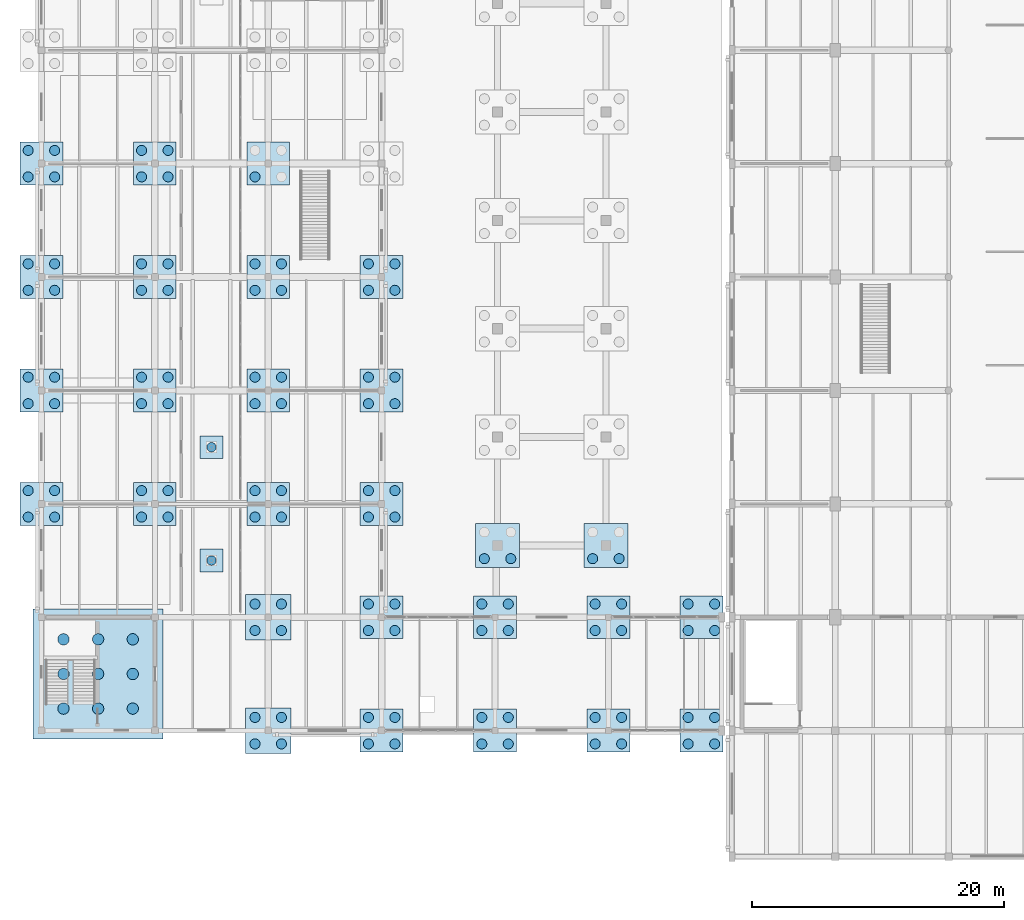
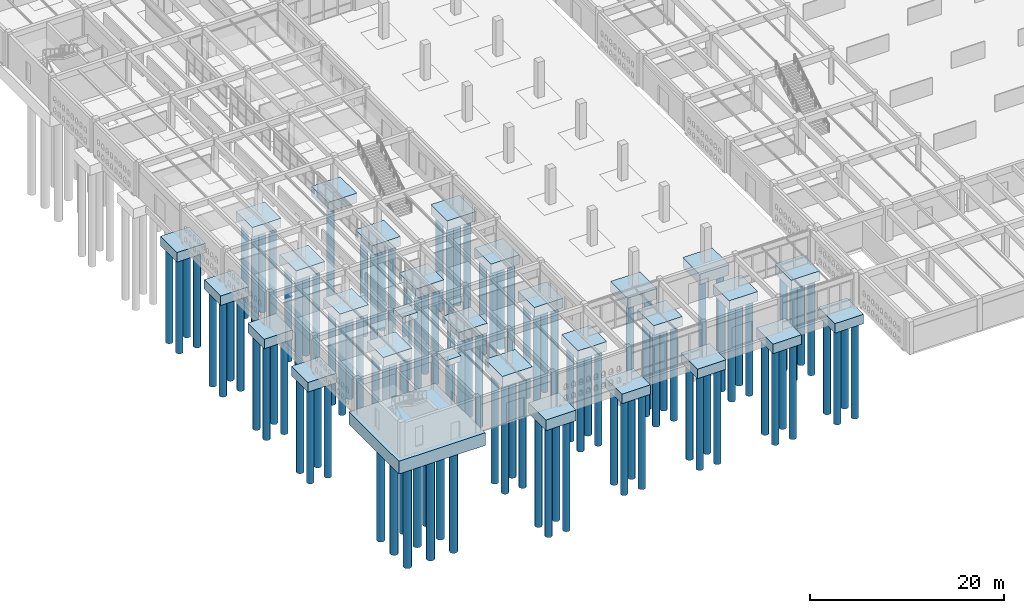
# One storey, part 1 of 186: 112 piles, 30 footings.
"""IFC4 building model written with IfcOpenShell, lengths in metres."""

from ifc_helpers import new_model, si_unit, direction, frame, origin, origin_2d, place, context, subcontext, project, spatial, polyline, circle, outline, extrude, material, layer, layer_set, material_profile, profile_set, type_object, element, save


model = new_model("IFC4")

# Units and contexts
model_context = context("Model", 3, precision=1e-05, world=origin(), true_north=direction((0.0, 1.0)))
body_context = subcontext(model_context, "Body", "Model", "MODEL_VIEW")
ifc_project = project(units=[si_unit("LENGTHUNIT", "METRE"), si_unit("AREAUNIT", "SQUARE_METRE"), si_unit("VOLUMEUNIT", "CUBIC_METRE"), si_unit("PLANEANGLEUNIT", "RADIAN"), si_unit("MASSUNIT", "GRAM", prefix="KILO")], contexts=[model_context])

# Site, building, storey
site_placement = place(None, origin())
site = spatial("IfcSite", under=ifc_project, at=site_placement, CompositionType="ELEMENT")
building_placement = place(site_placement, origin())
building = spatial("IfcBuilding", under=site, at=building_placement, Name="Ornek Quay Market", CompositionType="ELEMENT")
storey_placement = place(building_placement, origin())
storey = spatial("IfcBuildingStorey", under=building, at=storey_placement, Name="L00", CompositionType="ELEMENT", Elevation=0.0)

# Footings
ifc_material = material(Name="Concrete C35/45", Category="concrete")
ifc_layer_1 = layer(ifc_material, 1.60009765625, Name="Concrete C35/45", Category="concrete")
ifc_layer_set_1 = layer_set([ifc_layer_1], Name="Concrete C35/45")
footing_type_1 = type_object("IfcFootingType", Name="FT-CORE-7600x6600x1600", PredefinedType="PILE_CAP", material=ifc_layer_set_1)
footing_1_placement = place(storey_placement, frame((0.0, 0.0, -1.60009765625)))
element("IfcFooting", 1, at=footing_1_placement, inside=storey, type_object=footing_type_1, Name="Pile cap FC-002", PredefinedType="PILE_CAP", context=body_context, shape_type="SweptSolid", body=[
    extrude(outline(polyline([(-0.64990234375, 19.35009765625), (9.64990234375, 19.35009765625), (9.64990234375, 29.64990234375), (-0.64990234375, 29.64990234375), (-0.64990234375, 19.35009765625)])), origin(), (0.0, 0.0, 1.0), 1.60009765625),
])
ifc_layer_2 = layer(ifc_material, 0.75, Name="Concrete C35/45", Category="concrete")
ifc_layer_set_2 = layer_set([ifc_layer_2], Name="Concrete C35/45")
footing_type_2 = type_object("IfcFootingType", Name="FT-PAD-1800x1800x750", PredefinedType="PAD_FOOTING", material=ifc_layer_set_2)
footing_2_placement = place(storey_placement, frame((0.0, 0.0, -0.75)))
element("IfcFooting", 2, at=footing_2_placement, inside=storey, type_object=footing_type_2, Name="Pad footing PF-05", PredefinedType="PAD_FOOTING", context=body_context, shape_type="SweptSolid", body=[
    extrude(outline(polyline([(12.60009765625, 41.60009765625), (14.39990234375, 41.60009765625), (14.39990234375, 43.39990234375), (12.60009765625, 43.39990234375), (12.60009765625, 41.60009765625)])), origin(), (0.0, 0.0, 1.0), 0.75),
])
footing_3_placement = place(storey_placement, frame((0.0, 0.0, -0.75)))
element("IfcFooting", 3, at=footing_3_placement, inside=storey, type_object=footing_type_2, Name="Pad footing PF-07", PredefinedType="PAD_FOOTING", context=body_context, shape_type="SweptSolid", body=[
    extrude(outline(polyline([(12.60009765625, 32.60009765625), (14.39990234375, 32.60009765625), (14.39990234375, 34.39990234375), (12.60009765625, 34.39990234375), (12.60009765625, 32.60009765625)])), origin(), (0.0, 0.0, 1.0), 0.75),
])
ifc_layer_3 = layer(ifc_material, 1.199951171875, Name="Concrete C35/45", Category="concrete")
ifc_layer_set_3 = layer_set([ifc_layer_3], Name="Concrete C35/45")
footing_type_3 = type_object("IfcFootingType", Name="FT-PC4-2800x2800x1200", PredefinedType="PILE_CAP", material=ifc_layer_set_3)
footing_4_placement = place(storey_placement, frame((0.0, 0.0, -1.199951171875)))
element("IfcFooting", 4, at=footing_4_placement, inside=storey, type_object=footing_type_3, Name="Pile cap FC-007", PredefinedType="PILE_CAP", context=body_context, shape_type="SweptSolid", body=[
    extrude(outline(polyline([(-1.699951171875, 36.300048828125), (1.699951171875, 36.300048828125), (1.699951171875, 39.699951171875), (-1.699951171875, 39.699951171875), (-1.699951171875, 36.300048828125)])), origin(), (0.0, 0.0, 1.0), 1.199951171875),
])
footing_5_placement = place(storey_placement, frame((0.0, 0.0, -1.199951171875)))
element("IfcFooting", 5, at=footing_5_placement, inside=storey, type_object=footing_type_3, Name="Pile cap FC-008", PredefinedType="PILE_CAP", context=body_context, shape_type="SweptSolid", body=[
    extrude(outline(polyline([(-1.699951171875, 45.300048828125), (1.699951171875, 45.300048828125), (1.699951171875, 48.699951171875), (-1.699951171875, 48.699951171875), (-1.699951171875, 45.300048828125)])), origin(), (0.0, 0.0, 1.0), 1.199951171875),
])
footing_6_placement = place(storey_placement, frame((0.0, 0.0, -1.199951171875)))
element("IfcFooting", 6, at=footing_6_placement, inside=storey, type_object=footing_type_3, Name="Pile cap FC-009", PredefinedType="PILE_CAP", context=body_context, shape_type="SweptSolid", body=[
    extrude(outline(polyline([(-1.699951171875, 54.300048828125), (1.699951171875, 54.300048828125), (1.699951171875, 57.699951171875), (-1.699951171875, 57.699951171875), (-1.699951171875, 54.300048828125)])), origin(), (0.0, 0.0, 1.0), 1.199951171875),
])
footing_7_placement = place(storey_placement, frame((0.0, 0.0, -1.199951171875)))
element("IfcFooting", 7, at=footing_7_placement, inside=storey, type_object=footing_type_3, Name="Pile cap FC-010", PredefinedType="PILE_CAP", context=body_context, shape_type="SweptSolid", body=[
    extrude(outline(polyline([(-1.699951171875, 63.300048828125), (1.699951171875, 63.300048828125), (1.699951171875, 66.699951171875), (-1.699951171875, 66.699951171875), (-1.699951171875, 63.300048828125)])), origin(), (0.0, 0.0, 1.0), 1.199951171875),
])
footing_8_placement = place(storey_placement, frame((0.0, 0.0, -1.199951171875)))
element("IfcFooting", 8, at=footing_8_placement, inside=storey, type_object=footing_type_3, Name="Pile cap FC-015", PredefinedType="PILE_CAP", context=body_context, shape_type="SweptSolid", body=[
    extrude(outline(polyline([(7.300048828125, 36.300048828125), (10.699951171875, 36.300048828125), (10.699951171875, 39.699951171875), (7.300048828125, 39.699951171875), (7.300048828125, 36.300048828125)])), origin(), (0.0, 0.0, 1.0), 1.199951171875),
])
footing_9_placement = place(storey_placement, frame((0.0, 0.0, -1.199951171875)))
element("IfcFooting", 9, at=footing_9_placement, inside=storey, type_object=footing_type_3, Name="Pile cap FC-016", PredefinedType="PILE_CAP", context=body_context, shape_type="SweptSolid", body=[
    extrude(outline(polyline([(7.300048828125, 45.300048828125), (10.699951171875, 45.300048828125), (10.699951171875, 48.699951171875), (7.300048828125, 48.699951171875), (7.300048828125, 45.300048828125)])), origin(), (0.0, 0.0, 1.0), 1.199951171875),
])
footing_10_placement = place(storey_placement, frame((0.0, 0.0, -1.199951171875)))
element("IfcFooting", 10, at=footing_10_placement, inside=storey, type_object=footing_type_3, Name="Pile cap FC-017", PredefinedType="PILE_CAP", context=body_context, shape_type="SweptSolid", body=[
    extrude(outline(polyline([(7.300048828125, 54.300048828125), (10.699951171875, 54.300048828125), (10.699951171875, 57.699951171875), (7.300048828125, 57.699951171875), (7.300048828125, 54.300048828125)])), origin(), (0.0, 0.0, 1.0), 1.199951171875),
])
footing_11_placement = place(storey_placement, frame((0.0, 0.0, -1.199951171875)))
element("IfcFooting", 11, at=footing_11_placement, inside=storey, type_object=footing_type_3, Name="Pile cap FC-018", PredefinedType="PILE_CAP", context=body_context, shape_type="SweptSolid", body=[
    extrude(outline(polyline([(7.300048828125, 63.300048828125), (10.699951171875, 63.300048828125), (10.699951171875, 66.699951171875), (7.300048828125, 66.699951171875), (7.300048828125, 63.300048828125)])), origin(), (0.0, 0.0, 1.0), 1.199951171875),
])
footing_12_placement = place(storey_placement, frame((0.0, 0.0, -1.199951171875)))
element("IfcFooting", 12, at=footing_12_placement, inside=storey, type_object=footing_type_3, Name="Pile cap FC-025", PredefinedType="PILE_CAP", context=body_context, shape_type="SweptSolid", body=[
    extrude(outline(polyline([(16.300048828125, 36.300048828125), (19.699951171875, 36.300048828125), (19.699951171875, 39.699951171875), (16.300048828125, 39.699951171875), (16.300048828125, 36.300048828125)])), origin(), (0.0, 0.0, 1.0), 1.199951171875),
])
footing_13_placement = place(storey_placement, frame((0.0, 0.0, -1.199951171875)))
element("IfcFooting", 13, at=footing_13_placement, inside=storey, type_object=footing_type_3, Name="Pile cap FC-026", PredefinedType="PILE_CAP", context=body_context, shape_type="SweptSolid", body=[
    extrude(outline(polyline([(16.300048828125, 45.300048828125), (19.699951171875, 45.300048828125), (19.699951171875, 48.699951171875), (16.300048828125, 48.699951171875), (16.300048828125, 45.300048828125)])), origin(), (0.0, 0.0, 1.0), 1.199951171875),
])
footing_14_placement = place(storey_placement, frame((0.0, 0.0, -1.199951171875)))
element("IfcFooting", 14, at=footing_14_placement, inside=storey, type_object=footing_type_3, Name="Pile cap FC-027", PredefinedType="PILE_CAP", context=body_context, shape_type="SweptSolid", body=[
    extrude(outline(polyline([(16.300048828125, 54.300048828125), (19.699951171875, 54.300048828125), (19.699951171875, 57.699951171875), (16.300048828125, 57.699951171875), (16.300048828125, 54.300048828125)])), origin(), (0.0, 0.0, 1.0), 1.199951171875),
])
footing_15_placement = place(storey_placement, frame((0.0, 0.0, -1.199951171875)))
element("IfcFooting", 15, at=footing_15_placement, inside=storey, type_object=footing_type_3, Name="Pile cap FC-028", PredefinedType="PILE_CAP", context=body_context, shape_type="SweptSolid", body=[
    extrude(outline(polyline([(16.300048828125, 63.300048828125), (19.699951171875, 63.300048828125), (19.699951171875, 66.699951171875), (16.300048828125, 66.699951171875), (16.300048828125, 63.300048828125)])), origin(), (0.0, 0.0, 1.0), 1.199951171875),
])
footing_16_placement = place(storey_placement, frame((0.0, 0.0, -1.199951171875)))
element("IfcFooting", 16, at=footing_16_placement, inside=storey, type_object=footing_type_3, Name="Pile cap FC-035", PredefinedType="PILE_CAP", context=body_context, shape_type="SweptSolid", body=[
    extrude(outline(polyline([(25.300048828125, 18.300048828125), (28.699951171875, 18.300048828125), (28.699951171875, 21.699951171875), (25.300048828125, 21.699951171875), (25.300048828125, 18.300048828125)])), origin(), (0.0, 0.0, 1.0), 1.199951171875),
])
footing_17_placement = place(storey_placement, frame((0.0, 0.0, -1.199951171875)))
element("IfcFooting", 17, at=footing_17_placement, inside=storey, type_object=footing_type_3, Name="Pile cap FC-036", PredefinedType="PILE_CAP", context=body_context, shape_type="SweptSolid", body=[
    extrude(outline(polyline([(25.300048828125, 27.300048828125), (28.699951171875, 27.300048828125), (28.699951171875, 30.699951171875), (25.300048828125, 30.699951171875), (25.300048828125, 27.300048828125)])), origin(), (0.0, 0.0, 1.0), 1.199951171875),
])
footing_18_placement = place(storey_placement, frame((0.0, 0.0, -1.199951171875)))
element("IfcFooting", 18, at=footing_18_placement, inside=storey, type_object=footing_type_3, Name="Pile cap FC-037", PredefinedType="PILE_CAP", context=body_context, shape_type="SweptSolid", body=[
    extrude(outline(polyline([(25.300048828125, 36.300048828125), (28.699951171875, 36.300048828125), (28.699951171875, 39.699951171875), (25.300048828125, 39.699951171875), (25.300048828125, 36.300048828125)])), origin(), (0.0, 0.0, 1.0), 1.199951171875),
])
footing_19_placement = place(storey_placement, frame((0.0, 0.0, -1.199951171875)))
element("IfcFooting", 19, at=footing_19_placement, inside=storey, type_object=footing_type_3, Name="Pile cap FC-038", PredefinedType="PILE_CAP", context=body_context, shape_type="SweptSolid", body=[
    extrude(outline(polyline([(25.300048828125, 45.300048828125), (28.699951171875, 45.300048828125), (28.699951171875, 48.699951171875), (25.300048828125, 48.699951171875), (25.300048828125, 45.300048828125)])), origin(), (0.0, 0.0, 1.0), 1.199951171875),
])
footing_20_placement = place(storey_placement, frame((0.0, 0.0, -1.199951171875)))
element("IfcFooting", 20, at=footing_20_placement, inside=storey, type_object=footing_type_3, Name="Pile cap FC-039", PredefinedType="PILE_CAP", context=body_context, shape_type="SweptSolid", body=[
    extrude(outline(polyline([(25.300048828125, 54.300048828125), (28.699951171875, 54.300048828125), (28.699951171875, 57.699951171875), (25.300048828125, 57.699951171875), (25.300048828125, 54.300048828125)])), origin(), (0.0, 0.0, 1.0), 1.199951171875),
])
footing_21_placement = place(storey_placement, frame((0.0, 0.0, -1.199951171875)))
element("IfcFooting", 21, at=footing_21_placement, inside=storey, type_object=footing_type_3, Name="Pile cap FC-047", PredefinedType="PILE_CAP", context=body_context, shape_type="SweptSolid", body=[
    extrude(outline(polyline([(34.300048828125, 18.300048828125), (37.699951171875, 18.300048828125), (37.699951171875, 21.699951171875), (34.300048828125, 21.699951171875), (34.300048828125, 18.300048828125)])), origin(), (0.0, 0.0, 1.0), 1.199951171875),
])
footing_22_placement = place(storey_placement, frame((0.0, 0.0, -1.199951171875)))
element("IfcFooting", 22, at=footing_22_placement, inside=storey, type_object=footing_type_3, Name="Pile cap FC-048", PredefinedType="PILE_CAP", context=body_context, shape_type="SweptSolid", body=[
    extrude(outline(polyline([(34.300048828125, 27.300048828125), (37.699951171875, 27.300048828125), (37.699951171875, 30.699951171875), (34.300048828125, 30.699951171875), (34.300048828125, 27.300048828125)])), origin(), (0.0, 0.0, 1.0), 1.199951171875),
])
footing_23_placement = place(storey_placement, frame((0.0, 0.0, -1.199951171875)))
element("IfcFooting", 23, at=footing_23_placement, inside=storey, type_object=footing_type_3, Name="Pile cap FC-053", PredefinedType="PILE_CAP", context=body_context, shape_type="SweptSolid", body=[
    extrude(outline(polyline([(43.300048828125, 18.300048828125), (46.699951171875, 18.300048828125), (46.699951171875, 21.699951171875), (43.300048828125, 21.699951171875), (43.300048828125, 18.300048828125)])), origin(), (0.0, 0.0, 1.0), 1.199951171875),
])
footing_24_placement = place(storey_placement, frame((0.0, 0.0, -1.199951171875)))
element("IfcFooting", 24, at=footing_24_placement, inside=storey, type_object=footing_type_3, Name="Pile cap FC-054", PredefinedType="PILE_CAP", context=body_context, shape_type="SweptSolid", body=[
    extrude(outline(polyline([(43.300048828125, 27.300048828125), (46.699951171875, 27.300048828125), (46.699951171875, 30.699951171875), (43.300048828125, 30.699951171875), (43.300048828125, 27.300048828125)])), origin(), (0.0, 0.0, 1.0), 1.199951171875),
])
footing_25_placement = place(storey_placement, frame((0.0, 0.0, -1.199951171875)))
element("IfcFooting", 25, at=footing_25_placement, inside=storey, type_object=footing_type_3, Name="Pile cap FC-059", PredefinedType="PILE_CAP", context=body_context, shape_type="SweptSolid", body=[
    extrude(outline(polyline([(50.679931640625, 18.300048828125), (54.080078125, 18.300048828125), (54.080078125, 21.699951171875), (50.679931640625, 21.699951171875), (50.679931640625, 18.300048828125)])), origin(), (0.0, 0.0, 1.0), 1.199951171875),
])
footing_26_placement = place(storey_placement, frame((0.0, 0.0, -1.199951171875)))
element("IfcFooting", 26, at=footing_26_placement, inside=storey, type_object=footing_type_3, Name="Pile cap FC-060", PredefinedType="PILE_CAP", context=body_context, shape_type="SweptSolid", body=[
    extrude(outline(polyline([(50.679931640625, 27.300048828125), (54.080078125, 27.300048828125), (54.080078125, 30.699951171875), (50.679931640625, 30.699951171875), (50.679931640625, 27.300048828125)])), origin(), (0.0, 0.0, 1.0), 1.199951171875),
])
ifc_layer_4 = layer(ifc_material, 1.300048828125, Name="Concrete C35/45", Category="concrete")
ifc_layer_set_4 = layer_set([ifc_layer_4], Name="Concrete C35/45")
footing_type_4 = type_object("IfcFootingType", Name="FT-PC4-3000x3000x1300", PredefinedType="PILE_CAP", material=ifc_layer_set_4)
footing_27_placement = place(storey_placement, frame((0.0, 0.0, -1.300048828125)))
element("IfcFooting", 27, at=footing_27_placement, inside=storey, type_object=footing_type_4, Name="Pile cap FC-236", PredefinedType="PILE_CAP", context=body_context, shape_type="SweptSolid", body=[
    extrude(outline(polyline([(34.449951171875, 32.949951171875), (37.949951171875, 32.949951171875), (37.949951171875, 36.449951171875), (34.449951171875, 36.449951171875), (34.449951171875, 32.949951171875)])), origin(), (0.0, 0.0, 1.0), 1.300048828125),
])
footing_28_placement = place(storey_placement, frame((0.0, 0.0, -1.300048828125)))
element("IfcFooting", 28, at=footing_28_placement, inside=storey, type_object=footing_type_4, Name="Pile cap FC-243", PredefinedType="PILE_CAP", context=body_context, shape_type="SweptSolid", body=[
    extrude(outline(polyline([(43.050048828125, 32.949951171875), (46.550048828125, 32.949951171875), (46.550048828125, 36.449951171875), (43.050048828125, 36.449951171875), (43.050048828125, 32.949951171875)])), origin(), (0.0, 0.0, 1.0), 1.300048828125),
])
ifc_layer_5 = layer(ifc_material, 1.35009765625, Name="Concrete C35/45", Category="concrete")
ifc_layer_set_5 = layer_set([ifc_layer_5], Name="Concrete C35/45")
footing_type_5 = type_object("IfcFootingType", Name="FT-PC4-3200x3200x1350", PredefinedType="PILE_CAP", material=ifc_layer_set_5)
footing_29_placement = place(storey_placement, frame((0.0, 0.0, -1.35009765625)))
element("IfcFooting", 29, at=footing_29_placement, inside=storey, type_object=footing_type_5, Name="Pile cap FC-023", PredefinedType="PILE_CAP", context=body_context, shape_type="SweptSolid", body=[
    extrude(outline(polyline([(16.199951171875, 18.199951171875), (19.800048828125, 18.199951171875), (19.800048828125, 21.800048828125), (16.199951171875, 21.800048828125), (16.199951171875, 18.199951171875)])), origin(), (0.0, 0.0, 1.0), 1.35009765625),
])
footing_30_placement = place(storey_placement, frame((0.0, 0.0, -1.35009765625)))
element("IfcFooting", 30, at=footing_30_placement, inside=storey, type_object=footing_type_5, Name="Pile cap FC-024", PredefinedType="PILE_CAP", context=body_context, shape_type="SweptSolid", body=[
    extrude(outline(polyline([(16.199951171875, 27.199951171875), (19.800048828125, 27.199951171875), (19.800048828125, 30.800048828125), (16.199951171875, 30.800048828125), (16.199951171875, 27.199951171875)])), origin(), (0.0, 0.0, 1.0), 1.35009765625),
])

# Piles
ifc_material_profile_1 = material_profile(ifc_material, circle(Radius=0.39990234375, at=origin_2d()), Name="PILE D800", Category="concrete")
ifc_profile_set_1 = profile_set([ifc_material_profile_1], Name="Concrete C35/45")
pile_type_1 = type_object("IfcPileType", Name="PL-BOR-D800-L12", PredefinedType="BORED", material=ifc_profile_set_1)
for number, where, z_axis, x_axis, name in (
    (31, (-1.050048828125, 36.949951171875, -1.10009765625), (0.0, 0.0, -1.0), (1.0, 0.0, 0.0), "Bored pile P-0055"),
    (32, (1.050048828125, 36.949951171875, -1.10009765625), (0.0, 0.0, -1.0), (1.0, 0.0, 0.0), "Bored pile P-0056"),
    (33, (-1.050048828125, 39.050048828125, -1.10009765625), (0.0, 0.0, -1.0), (1.0, 0.0, 0.0), "Bored pile P-0057"),
    (34, (1.050048828125, 39.050048828125, -1.10009765625), (0.0, 0.0, -1.0), (1.0, 0.0, 0.0), "Bored pile P-0058"),
    (35, (-1.050048828125, 45.949951171875, -1.10009765625), (0.0, 0.0, -1.0), (1.0, 0.0, 0.0), "Bored pile P-0059"),
    (36, (1.050048828125, 45.949951171875, -1.10009765625), (0.0, 0.0, -1.0), (1.0, 0.0, 0.0), "Bored pile P-0060"),
    (37, (-1.050048828125, 48.050048828125, -1.10009765625), (0.0, 0.0, -1.0), (1.0, 0.0, 0.0), "Bored pile P-0061"),
    (38, (1.050048828125, 48.050048828125, -1.10009765625), (0.0, 0.0, -1.0), (1.0, 0.0, 0.0), "Bored pile P-0062"),
    (39, (-1.050048828125, 54.949951171875, -1.10009765625), (0.0, 0.0, -1.0), (1.0, 0.0, 0.0), "Bored pile P-0063"),
    (40, (1.050048828125, 54.949951171875, -1.10009765625), (0.0, 0.0, -1.0), (1.0, 0.0, 0.0), "Bored pile P-0064"),
    (41, (-1.050048828125, 57.050048828125, -1.10009765625), (0.0, 0.0, -1.0), (1.0, 0.0, 0.0), "Bored pile P-0065"),
    (42, (1.050048828125, 57.050048828125, -1.10009765625), (0.0, 0.0, -1.0), (1.0, 0.0, 0.0), "Bored pile P-0066"),
    (43, (-1.050048828125, 63.949951171875, -1.10009765625), (0.0, 0.0, -1.0), (1.0, 0.0, 0.0), "Bored pile P-0067"),
    (44, (1.050048828125, 63.949951171875, -1.10009765625), (0.0, 0.0, -1.0), (1.0, 0.0, 0.0), "Bored pile P-0068"),
    (45, (-1.050048828125, 66.050048828125, -1.10009765625), (0.0, 0.0, -1.0), (1.0, 0.0, 0.0), "Bored pile P-0069"),
    (46, (1.050048828125, 66.050048828125, -1.10009765625), (0.0, 0.0, -1.0), (1.0, 0.0, 0.0), "Bored pile P-0070"),
    (47, (7.949951171875, 36.949951171875, -1.10009765625), (0.0, 0.0, -1.0), (1.0, 0.0, 0.0), "Bored pile P-0087"),
    (48, (10.050048828125, 36.949951171875, -1.10009765625), (0.0, 0.0, -1.0), (1.0, 0.0, 0.0), "Bored pile P-0088"),
    (49, (7.949951171875, 39.050048828125, -1.10009765625), (0.0, 0.0, -1.0), (1.0, 0.0, 0.0), "Bored pile P-0089"),
    (50, (10.050048828125, 39.050048828125, -1.10009765625), (0.0, 0.0, -1.0), (1.0, 0.0, 0.0), "Bored pile P-0090"),
    (51, (7.949951171875, 45.949951171875, -1.10009765625), (0.0, 0.0, -1.0), (1.0, 0.0, 0.0), "Bored pile P-0091"),
    (52, (10.050048828125, 45.949951171875, -1.10009765625), (0.0, 0.0, -1.0), (1.0, 0.0, 0.0), "Bored pile P-0092"),
    (53, (7.949951171875, 48.050048828125, -1.10009765625), (0.0, 0.0, -1.0), (1.0, 0.0, 0.0), "Bored pile P-0093"),
    (54, (10.050048828125, 48.050048828125, -1.10009765625), (0.0, 0.0, -1.0), (1.0, 0.0, 0.0), "Bored pile P-0094"),
    (55, (7.949951171875, 54.949951171875, -1.10009765625), (0.0, 0.0, -1.0), (1.0, 0.0, 0.0), "Bored pile P-0095"),
    (56, (10.050048828125, 54.949951171875, -1.10009765625), (0.0, 0.0, -1.0), (1.0, 0.0, 0.0), "Bored pile P-0096"),
    (57, (7.949951171875, 57.050048828125, -1.10009765625), (0.0, 0.0, -1.0), (1.0, 0.0, 0.0), "Bored pile P-0097"),
    (58, (10.050048828125, 57.050048828125, -1.10009765625), (0.0, 0.0, -1.0), (1.0, 0.0, 0.0), "Bored pile P-0098"),
    (59, (7.949951171875, 63.949951171875, -1.10009765625), (0.0, 0.0, -1.0), (1.0, 0.0, 0.0), "Bored pile P-0099"),
    (60, (10.050048828125, 63.949951171875, -1.10009765625), (0.0, 0.0, -1.0), (1.0, 0.0, 0.0), "Bored pile P-0100"),
    (61, (7.949951171875, 66.050048828125, -1.10009765625), (0.0, 0.0, -1.0), (1.0, 0.0, 0.0), "Bored pile P-0101"),
    (62, (10.050048828125, 66.050048828125, -1.10009765625), (0.0, 0.0, -1.0), (1.0, 0.0, 0.0), "Bored pile P-0102"),
    (63, (16.949951171875, 36.949951171875, -1.10009765625), (0.0, 0.0, -1.0), (1.0, 0.0, 0.0), "Bored pile P-0127"),
    (64, (19.050048828125, 36.949951171875, -1.10009765625), (0.0, 0.0, -1.0), (1.0, 0.0, 0.0), "Bored pile P-0128"),
    (65, (16.949951171875, 39.050048828125, -1.10009765625), (0.0, 0.0, -1.0), (1.0, 0.0, 0.0), "Bored pile P-0129"),
    (66, (19.050048828125, 39.050048828125, -1.10009765625), (0.0, 0.0, -1.0), (1.0, 0.0, 0.0), "Bored pile P-0130"),
    (67, (16.949951171875, 45.949951171875, -1.10009765625), (0.0, 0.0, -1.0), (1.0, 0.0, 0.0), "Bored pile P-0131"),
    (68, (19.050048828125, 45.949951171875, -1.10009765625), (0.0, 0.0, -1.0), (1.0, 0.0, 0.0), "Bored pile P-0132"),
    (69, (16.949951171875, 48.050048828125, -1.10009765625), (0.0, 0.0, -1.0), (1.0, 0.0, 0.0), "Bored pile P-0133"),
    (70, (19.050048828125, 48.050048828125, -1.10009765625), (0.0, 0.0, -1.0), (1.0, 0.0, 0.0), "Bored pile P-0134"),
    (71, (16.949951171875, 54.949951171875, -1.10009765625), (0.0, 0.0, -1.0), (1.0, 0.0, 0.0), "Bored pile P-0135"),
    (72, (19.050048828125, 54.949951171875, -1.10009765625), (0.0, 0.0, -1.0), (1.0, 0.0, 0.0), "Bored pile P-0136"),
    (73, (16.949951171875, 57.050048828125, -1.10009765625), (0.0, 0.0, -1.0), (1.0, 0.0, 0.0), "Bored pile P-0137"),
    (74, (19.050048828125, 57.050048828125, -1.10009765625), (0.0, 0.0, -1.0), (1.0, 0.0, 0.0), "Bored pile P-0138"),
    (75, (16.949951171875, 63.949951171875, -1.10009765625), (0.0, 0.0, -1.0), (1.0, 0.0, 0.0), "Bored pile P-0139"),
    (76, (25.949951171875, 18.949951171875, -1.10009765625), (0.0, 0.0, -1.0), (1.0, 0.0, 0.0), "Bored pile P-0167"),
    (77, (28.050048828125, 18.949951171875, -1.10009765625), (0.0, 0.0, -1.0), (1.0, 0.0, 0.0), "Bored pile P-0168"),
    (78, (25.949951171875, 21.050048828125, -1.10009765625), (0.0, 0.0, -1.0), (1.0, 0.0, 0.0), "Bored pile P-0169"),
    (79, (28.050048828125, 21.050048828125, -1.10009765625), (0.0, 0.0, -1.0), (1.0, 0.0, 0.0), "Bored pile P-0170"),
    (80, (25.949951171875, 27.949951171875, -1.10009765625), (0.0, 0.0, -1.0), (1.0, 0.0, 0.0), "Bored pile P-0171"),
    (81, (28.050048828125, 27.949951171875, -1.10009765625), (0.0, 0.0, -1.0), (1.0, 0.0, 0.0), "Bored pile P-0172"),
    (82, (25.949951171875, 30.050048828125, -1.10009765625), (0.0, 0.0, -1.0), (1.0, 0.0, 0.0), "Bored pile P-0173"),
    (83, (28.050048828125, 30.050048828125, -1.10009765625), (0.0, 0.0, -1.0), (1.0, 0.0, 0.0), "Bored pile P-0174"),
    (84, (25.949951171875, 36.949951171875, -1.10009765625), (0.0, 0.0, -1.0), (1.0, 0.0, 0.0), "Bored pile P-0175"),
    (85, (28.050048828125, 36.949951171875, -1.10009765625), (0.0, 0.0, -1.0), (1.0, 0.0, 0.0), "Bored pile P-0176"),
    (86, (25.949951171875, 39.050048828125, -1.10009765625), (0.0, 0.0, -1.0), (1.0, 0.0, 0.0), "Bored pile P-0177"),
    (87, (28.050048828125, 39.050048828125, -1.10009765625), (0.0, 0.0, -1.0), (1.0, 0.0, 0.0), "Bored pile P-0178"),
    (88, (25.949951171875, 45.949951171875, -1.10009765625), (0.0, 0.0, -1.0), (1.0, 0.0, 0.0), "Bored pile P-0179"),
    (89, (28.050048828125, 45.949951171875, -1.10009765625), (0.0, 0.0, -1.0), (1.0, 0.0, 0.0), "Bored pile P-0180"),
    (90, (25.949951171875, 48.050048828125, -1.10009765625), (0.0, 0.0, -1.0), (1.0, 0.0, 0.0), "Bored pile P-0181"),
    (91, (28.050048828125, 48.050048828125, -1.10009765625), (0.0, 0.0, -1.0), (1.0, 0.0, 0.0), "Bored pile P-0182"),
    (92, (25.949951171875, 54.949951171875, -1.10009765625), (0.0, 0.0, -1.0), (1.0, 0.0, 0.0), "Bored pile P-0183"),
    (93, (28.050048828125, 54.949951171875, -1.10009765625), (0.0, 0.0, -1.0), (1.0, 0.0, 0.0), "Bored pile P-0184"),
    (94, (25.949951171875, 57.050048828125, -1.10009765625), (0.0, 0.0, -1.0), (1.0, 0.0, 0.0), "Bored pile P-0185"),
    (95, (28.050048828125, 57.050048828125, -1.10009765625), (0.0, 0.0, -1.0), (1.0, 0.0, 0.0), "Bored pile P-0186"),
    (96, (34.949951171875, 18.949951171875, -1.10009765625), (0.0, 0.0, -1.0), (1.0, 0.0, 0.0), "Bored pile P-0215"),
    (97, (37.050048828125, 18.949951171875, -1.10009765625), (0.0, 0.0, -1.0), (1.0, 0.0, 0.0), "Bored pile P-0216"),
    (98, (34.949951171875, 21.050048828125, -1.10009765625), (0.0, 0.0, -1.0), (1.0, 0.0, 0.0), "Bored pile P-0217"),
    (99, (37.050048828125, 21.050048828125, -1.10009765625), (0.0, 0.0, -1.0), (1.0, 0.0, 0.0), "Bored pile P-0218"),
    (100, (34.949951171875, 27.949951171875, -1.10009765625), (0.0, 0.0, -1.0), (1.0, 0.0, 0.0), "Bored pile P-0219"),
    (101, (37.050048828125, 27.949951171875, -1.10009765625), (0.0, 0.0, -1.0), (1.0, 0.0, 0.0), "Bored pile P-0220"),
    (102, (34.949951171875, 30.050048828125, -1.10009765625), (0.0, 0.0, -1.0), (1.0, 0.0, 0.0), "Bored pile P-0221"),
    (103, (37.050048828125, 30.050048828125, -1.10009765625), (0.0, 0.0, -1.0), (1.0, 0.0, 0.0), "Bored pile P-0222"),
    (104, (43.949951171875, 18.949951171875, -1.10009765625), (0.0, 0.0, -1.0), (1.0, 0.0, 0.0), "Bored pile P-0239"),
    (105, (46.050048828125, 18.949951171875, -1.10009765625), (0.0, 0.0, -1.0), (1.0, 0.0, 0.0), "Bored pile P-0240"),
    (106, (43.949951171875, 21.050048828125, -1.10009765625), (0.0, 0.0, -1.0), (1.0, 0.0, 0.0), "Bored pile P-0241"),
    (107, (46.050048828125, 21.050048828125, -1.10009765625), (0.0, 0.0, -1.0), (1.0, 0.0, 0.0), "Bored pile P-0242"),
    (108, (43.949951171875, 27.949951171875, -1.10009765625), (0.0, 0.0, -1.0), (1.0, 0.0, 0.0), "Bored pile P-0243"),
    (109, (46.050048828125, 27.949951171875, -1.10009765625), (0.0, 0.0, -1.0), (1.0, 0.0, 0.0), "Bored pile P-0244"),
    (110, (43.949951171875, 30.050048828125, -1.10009765625), (0.0, 0.0, -1.0), (1.0, 0.0, 0.0), "Bored pile P-0245"),
    (111, (46.050048828125, 30.050048828125, -1.10009765625), (0.0, 0.0, -1.0), (1.0, 0.0, 0.0), "Bored pile P-0246"),
    (112, (51.330078125, 18.949951171875, -1.10009765625), (0.0, 0.0, -1.0), (1.0, 0.0, 0.0), "Bored pile P-0263"),
    (113, (53.429931640625, 18.949951171875, -1.10009765625), (0.0, 0.0, -1.0), (1.0, 0.0, 0.0), "Bored pile P-0264"),
    (114, (51.330078125, 21.050048828125, -1.10009765625), (0.0, 0.0, -1.0), (1.0, 0.0, 0.0), "Bored pile P-0265"),
    (115, (53.429931640625, 21.050048828125, -1.10009765625), (0.0, 0.0, -1.0), (1.0, 0.0, 0.0), "Bored pile P-0266"),
    (116, (51.330078125, 27.949951171875, -1.10009765625), (0.0, 0.0, -1.0), (1.0, 0.0, 0.0), "Bored pile P-0267"),
    (117, (53.429931640625, 27.949951171875, -1.10009765625), (0.0, 0.0, -1.0), (1.0, 0.0, 0.0), "Bored pile P-0268"),
    (118, (51.330078125, 30.050048828125, -1.10009765625), (0.0, 0.0, -1.0), (1.0, 0.0, 0.0), "Bored pile P-0269"),
    (119, (53.429931640625, 30.050048828125, -1.10009765625), (0.0, 0.0, -1.0), (1.0, 0.0, 0.0), "Bored pile P-0270"),
):
    element("IfcPile", number, at=place(storey_placement, frame(where, z_axis=z_axis, x_axis=x_axis)), inside=storey, type_object=pile_type_1, Name=name, PredefinedType="BORED", context=body_context, shape_type="SweptSolid", body=[
        extrude(circle(Radius=0.39990234375, at=origin_2d()), origin(), (0.0, 0.0, 1.0), 12.0),
    ])
ifc_material_profile_2 = material_profile(ifc_material, circle(Radius=0.39990234375, at=origin_2d()), Name="PILE D800", Category="concrete")
ifc_profile_set_2 = profile_set([ifc_material_profile_2], Name="Concrete C35/45")
pile_type_2 = type_object("IfcPileType", Name="PL-BOR-D800-L14", PredefinedType="BORED", material=ifc_profile_set_2)
for number, where, z_axis, x_axis, name in (
    (120, (16.949951171875, 18.949951171875, -1.25), (0.0, 0.0, -1.0), (1.0, 0.0, 0.0), "Bored pile P-0119"),
    (121, (19.050048828125, 18.949951171875, -1.25), (0.0, 0.0, -1.0), (1.0, 0.0, 0.0), "Bored pile P-0120"),
    (122, (16.949951171875, 21.050048828125, -1.25), (0.0, 0.0, -1.0), (1.0, 0.0, 0.0), "Bored pile P-0121"),
    (123, (19.050048828125, 21.050048828125, -1.25), (0.0, 0.0, -1.0), (1.0, 0.0, 0.0), "Bored pile P-0122"),
    (124, (16.949951171875, 27.949951171875, -1.25), (0.0, 0.0, -1.0), (1.0, 0.0, 0.0), "Bored pile P-0123"),
    (125, (19.050048828125, 27.949951171875, -1.25), (0.0, 0.0, -1.0), (1.0, 0.0, 0.0), "Bored pile P-0124"),
    (126, (16.949951171875, 30.050048828125, -1.25), (0.0, 0.0, -1.0), (1.0, 0.0, 0.0), "Bored pile P-0125"),
    (127, (19.050048828125, 30.050048828125, -1.25), (0.0, 0.0, -1.0), (1.0, 0.0, 0.0), "Bored pile P-0126"),
    (128, (35.14990234375, 33.64990234375, -1.199951171875), (0.0, 0.0, -1.0), (1.0, 0.0, 0.0), "Bored pile P-1075"),
    (129, (37.25, 33.64990234375, -1.199951171875), (0.0, 0.0, -1.0), (1.0, 0.0, 0.0), "Bored pile P-1076"),
    (130, (43.75, 33.64990234375, -1.199951171875), (0.0, 0.0, -1.0), (1.0, 0.0, 0.0), "Bored pile P-1103"),
    (131, (45.85009765625, 33.64990234375, -1.199951171875), (0.0, 0.0, -1.0), (1.0, 0.0, 0.0), "Bored pile P-1104"),
):
    element("IfcPile", number, at=place(storey_placement, frame(where, z_axis=z_axis, x_axis=x_axis)), inside=storey, type_object=pile_type_2, Name=name, PredefinedType="BORED", context=body_context, shape_type="SweptSolid", body=[
        extrude(circle(Radius=0.39990234375, at=origin_2d()), origin(), (0.0, 0.0, 1.0), 14.0),
    ])
ifc_material_profile_3 = material_profile(ifc_material, circle(Radius=0.449951171875, at=origin_2d()), Name="PILE D900", Category="concrete")
ifc_profile_set_3 = profile_set([ifc_material_profile_3], Name="Concrete C35/45")
pile_type_3 = type_object("IfcPileType", Name="PL-BOR-D900-L14", PredefinedType="BORED", material=ifc_profile_set_3)
for number, where, z_axis, x_axis, name in (
    (132, (1.75, 21.75, -1.5), (0.0, 0.0, -1.0), (1.0, 0.0, 0.0), "Bored pile P-0010"),
    (133, (1.75, 24.5, -1.5), (0.0, 0.0, -1.0), (1.0, 0.0, 0.0), "Bored pile P-0011"),
    (134, (1.75, 27.25, -1.5), (0.0, 0.0, -1.0), (1.0, 0.0, 0.0), "Bored pile P-0012"),
    (135, (4.5, 21.75, -1.5), (0.0, 0.0, -1.0), (1.0, 0.0, 0.0), "Bored pile P-0013"),
    (136, (4.5, 24.5, -1.5), (0.0, 0.0, -1.0), (1.0, 0.0, 0.0), "Bored pile P-0014"),
    (137, (4.5, 27.25, -1.5), (0.0, 0.0, -1.0), (1.0, 0.0, 0.0), "Bored pile P-0015"),
    (138, (7.25, 21.75, -1.5), (0.0, 0.0, -1.0), (1.0, 0.0, 0.0), "Bored pile P-0016"),
    (139, (7.25, 24.5, -1.5), (0.0, 0.0, -1.0), (1.0, 0.0, 0.0), "Bored pile P-0017"),
    (140, (7.25, 27.25, -1.5), (0.0, 0.0, -1.0), (1.0, 0.0, 0.0), "Bored pile P-0018"),
):
    element("IfcPile", number, at=place(storey_placement, frame(where, z_axis=z_axis, x_axis=x_axis)), inside=storey, type_object=pile_type_3, Name=name, PredefinedType="BORED", context=body_context, shape_type="SweptSolid", body=[
        extrude(circle(Radius=0.449951171875, at=origin_2d()), origin(), (0.0, 0.0, 1.0), 14.0),
    ])
ifc_material_profile_4 = material_profile(ifc_material, circle(Radius=0.375, at=origin_2d()), Name="PILE D750", Category="concrete")
ifc_profile_set_4 = profile_set([ifc_material_profile_4], Name="Concrete C35/45")
pile_type_4 = type_object("IfcPileType", Name="PL-SUP-D750-L12", PredefinedType="SUPPORT", material=ifc_profile_set_4)
for number, where, z_axis, x_axis, name in (
    (141, (13.5, 42.5, -0.64990234375), (0.0, 0.0, -1.0), (1.0, 0.0, 0.0), "Bored pile P-1205"),
    (142, (13.5, 33.5, -0.64990234375), (0.0, 0.0, -1.0), (1.0, 0.0, 0.0), "Bored pile P-1207"),
):
    element("IfcPile", number, at=place(storey_placement, frame(where, z_axis=z_axis, x_axis=x_axis)), inside=storey, type_object=pile_type_4, Name=name, PredefinedType="SUPPORT", context=body_context, shape_type="SweptSolid", body=[
        extrude(circle(Radius=0.375, at=origin_2d()), origin(), (0.0, 0.0, 1.0), 12.0),
    ])

save(model, "model.ifc")
